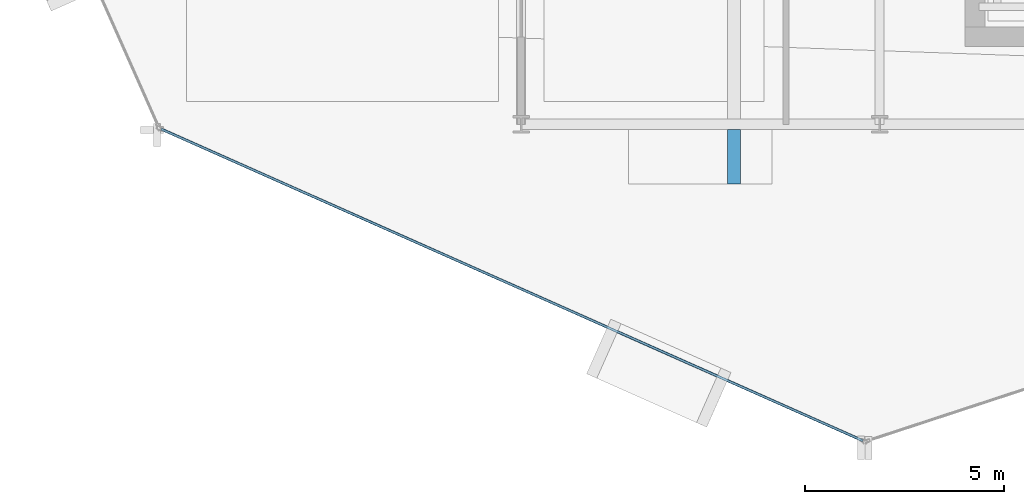
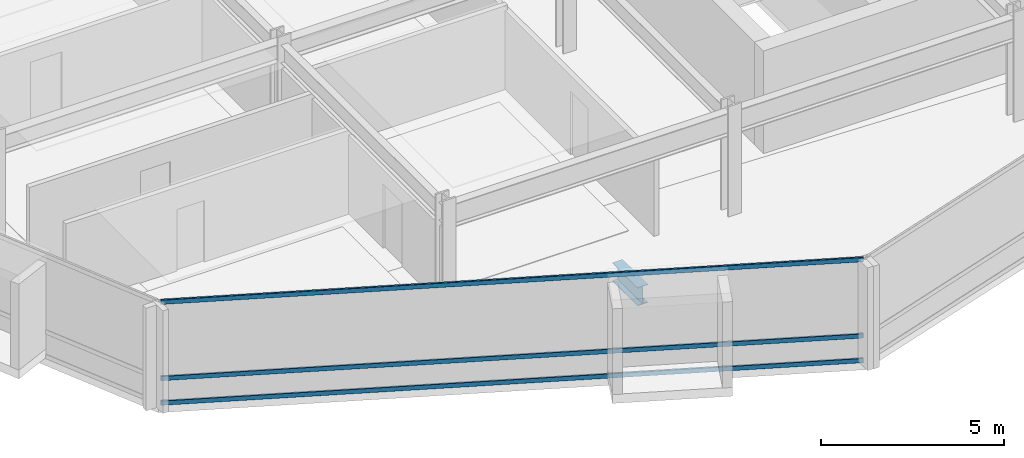
# One storey, part 3 of 29: 3 members, 1 beam, 1 element without a shape of its own.
"""IFC4 building model written with IfcOpenShell, lengths in metres."""

from ifc_helpers import new_model, si_unit, direction, frame, origin, origin_2d, place, context, subcontext, project, spatial, hollow_rectangle, i_section, extrude, material, layer, layer_set, material_profile, profile_set, type_object, element, aggregate, save


model = new_model("IFC4")

# Units and contexts
model_context = context("Model", 3, precision=1e-05, world=origin(), true_north=direction((0.0, 1.0)))
body_context = subcontext(model_context, "Body", "Model", "MODEL_VIEW")
ifc_project = project(units=[si_unit("LENGTHUNIT", "METRE"), si_unit("AREAUNIT", "SQUARE_METRE"), si_unit("VOLUMEUNIT", "CUBIC_METRE"), si_unit("PLANEANGLEUNIT", "RADIAN"), si_unit("MASSUNIT", "GRAM", prefix="KILO")], contexts=[model_context])

# Site, building, storey
site_placement = place(None, origin())
site = spatial("IfcSite", under=ifc_project, at=site_placement, CompositionType="ELEMENT")
building_placement = place(site_placement, origin())
building = spatial("IfcBuilding", under=site, at=building_placement, Name="Solvaryn Broadcast Tower", CompositionType="ELEMENT")
storey_placement = place(building_placement, frame((0.0, 0.0, 139.60009765625)))
storey = spatial("IfcBuildingStorey", under=building, at=storey_placement, Name="L34", CompositionType="ELEMENT", Elevation=139.60009765625)

# Beam
ifc_material_1 = material(Name="Steel ASTM A992 Grade 50", Category="steel")
ifc_material_profile_1 = material_profile(ifc_material_1, i_section(OverallWidth=0.323974609375, OverallDepth=0.611083984375, WebThickness=0.0126953125, FlangeThickness=0.01904296875, FilletRadius=0.014892578125, at=origin_2d()))
ifc_profile_set_1 = profile_set([ifc_material_profile_1], Name="Steel ASTM A992 Grade 50")
beam_type = type_object("IfcBeamType", Name="BM-CANT-TER", PredefinedType="BEAM", material=ifc_profile_set_1)
beam_placement = place(storey_placement, frame((23.35009765625, 8.875, -0.585693359375), z_axis=(0.0, -1.0, 0.0), x_axis=(1.0, 0.0, 0.0)))
element("IfcBeam", 1, at=beam_placement, inside=storey, type_object=beam_type, Name="L34 Bay-Box Cantilever Bracket 1", PredefinedType="BEAM", context=body_context, shape_type="SweptSolid", body=[
    extrude(i_section(OverallWidth=0.323974609375, OverallDepth=0.611083984375, WebThickness=0.0126953125, FlangeThickness=0.01904296875, FilletRadius=0.014892578125, at=origin_2d()), origin(), (0.0, 0.0, 1.0), 1.375),
])

# Curtain wall, members
ifc_material_2 = material(Name="Aluminium and Terracotta Unitised Curtain Wall", Category="masonry")
ifc_layer = layer(ifc_material_2, 0.199951171875)
ifc_layer_set = layer_set([ifc_layer], Name="CW-SYS2-LOWMID")
curtain_wall_type = type_object("IfcCurtainWallType", Name="CW-SYS2-LOWMID", PredefinedType="NOTDEFINED", material=ifc_layer_set)
curtain_wall_placement = place(storey_placement, origin())
curtain_wall = element("IfcCurtainWall", 2, at=curtain_wall_placement, inside=storey, type_object=curtain_wall_type, Name="L34 Curtain Wall DR3", PredefinedType="NOTDEFINED")
ifc_material_3 = material(Name="Anodised Aluminium 6063-T6", Category="aluminium")
ifc_material_profile_2 = material_profile(ifc_material_3, hollow_rectangle(XDim=0.06494140625, YDim=0.14990234375, WallThickness=0.00390625, InnerFilletRadius=0.00390625, OuterFilletRadius=0.008056640625, at=origin_2d()))
ifc_profile_set_2 = profile_set([ifc_material_profile_2], Name="Anodised Aluminium 6063-T6")
member_type = type_object("IfcMemberType", Name="CW-TRN-150", PredefinedType="USERDEFINED", material=ifc_profile_set_2)
member_1_placement = place(storey_placement, frame((8.962890625, 8.883544921875, 0.02978515625), z_axis=(0.913909703223, -0.405917546252, 0.0), x_axis=(0.405917546252, 0.913909703223, 0.0)))
member_1 = element("IfcMember", 3, at=member_1_placement, type_object=member_type, Name="CWS2 transom 1.1", ObjectType="TRANSOM", PredefinedType="USERDEFINED", context=body_context, shape_type="SweptSolid", body=[
    extrude(hollow_rectangle(XDim=0.06494140625, YDim=0.14990234375, WallThickness=0.00390625, InnerFilletRadius=0.00390625, OuterFilletRadius=0.008056640625, at=origin_2d()), origin(), (0.0, 0.0, 1.0), 19.27783203125),
])
member_2_placement = place(storey_placement, frame((8.962890625, 8.883544921875, 0.849853515625), z_axis=(0.913909703223, -0.405917546252, 0.0), x_axis=(0.405917546252, 0.913909703223, 0.0)))
member_2 = element("IfcMember", 4, at=member_2_placement, type_object=member_type, Name="CWS2 transom 1.2", ObjectType="TRANSOM", PredefinedType="USERDEFINED", context=body_context, shape_type="SweptSolid", body=[
    extrude(hollow_rectangle(XDim=0.06494140625, YDim=0.14990234375, WallThickness=0.00390625, InnerFilletRadius=0.00390625, OuterFilletRadius=0.008056640625, at=origin_2d()), origin(), (0.0, 0.0, 1.0), 19.27783203125),
])
member_3_placement = place(storey_placement, frame((8.962890625, 8.883544921875, 3.389892578125), z_axis=(0.913909703223, -0.405917546252, 0.0), x_axis=(0.405917546252, 0.913909703223, 0.0)))
member_3 = element("IfcMember", 5, at=member_3_placement, type_object=member_type, Name="CWS2 transom 1.3", ObjectType="TRANSOM", PredefinedType="USERDEFINED", context=body_context, shape_type="SweptSolid", body=[
    extrude(hollow_rectangle(XDim=0.06494140625, YDim=0.14990234375, WallThickness=0.00390625, InnerFilletRadius=0.00390625, OuterFilletRadius=0.008056640625, at=origin_2d()), origin(), (0.0, 0.0, 1.0), 19.27783203125),
])
aggregate(curtain_wall, [member_1, member_2, member_3])

save(model, "model.ifc")
